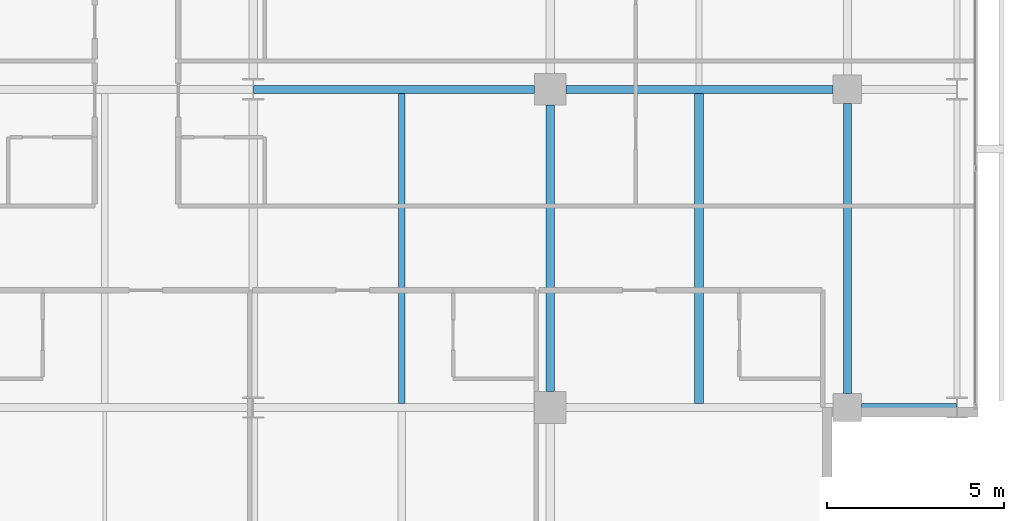
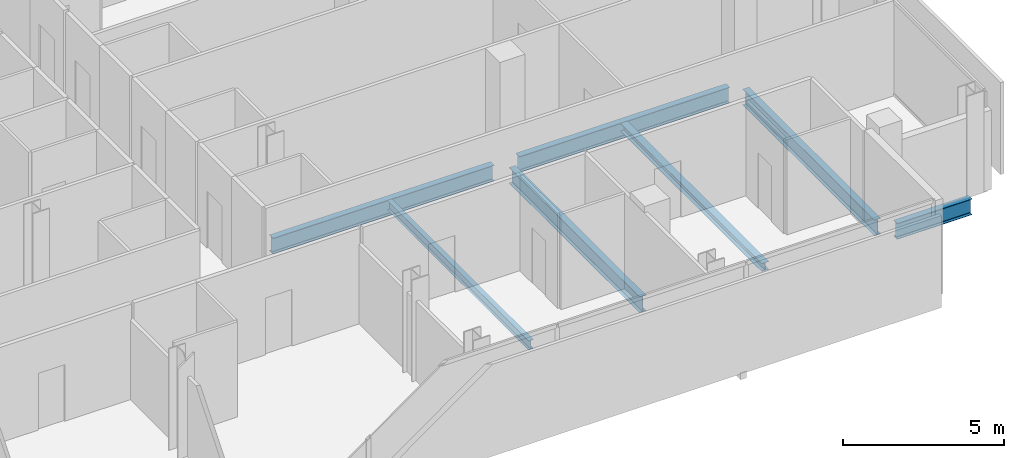
# One storey, part 14 of 34: 7 beams.
"""IFC4 building model written with IfcOpenShell, lengths in metres."""

from ifc_helpers import new_model, si_unit, direction, frame, origin, origin_2d, place, context, subcontext, project, spatial, i_section, extrude, material, material_profile, profile_set, type_object, element, save


model = new_model("IFC4")

# Units and contexts
model_context = context("Model", 3, precision=1e-05, world=origin(), true_north=direction((0.0, 1.0)))
body_context = subcontext(model_context, "Body", "Model", "MODEL_VIEW")
ifc_project = project(units=[si_unit("LENGTHUNIT", "METRE"), si_unit("AREAUNIT", "SQUARE_METRE"), si_unit("VOLUMEUNIT", "CUBIC_METRE"), si_unit("PLANEANGLEUNIT", "RADIAN"), si_unit("MASSUNIT", "GRAM", prefix="KILO")], contexts=[model_context])

# Site, building, storey
site_placement = place(None, origin())
site = spatial("IfcSite", under=ifc_project, at=site_placement, CompositionType="ELEMENT")
building_placement = place(site_placement, origin())
building = spatial("IfcBuilding", under=site, at=building_placement, Name="Maruvema Waterfront Hotel and Observation Tower", CompositionType="ELEMENT")
storey_placement = place(building_placement, frame((0.0, 0.0, 173.60009765625)))
storey = spatial("IfcBuildingStorey", under=building, at=storey_placement, Name="L42", CompositionType="ELEMENT", Elevation=173.60009765625)

# Beams
ifc_material_1 = material(Name="Steel ASTM A572 Grade 50", Category="steel")
ifc_material_profile_1 = material_profile(ifc_material_1, i_section(OverallWidth=0.22802734375, OverallDepth=0.60302734375, WebThickness=0.010498046875, FlangeThickness=0.014892578125, FilletRadius=0.01806640625, at=origin_2d()), Name="W610x101.0")
ifc_profile_set_1 = profile_set([ifc_material_profile_1], Name="Steel ASTM A572 Grade 50")
beam_type_1 = type_object("IfcBeamType", Name="Primary Floor Girder W610x101.0", PredefinedType="BEAM", material=ifc_profile_set_1)
beam_1_placement = place(storey_placement, frame((59.199951171875, 9.0, -0.54150390625), z_axis=(1.0, 0.0, 0.0), x_axis=(0.0, 1.0, 0.0)))
element("IfcBeam", 1, at=beam_1_placement, inside=storey, type_object=beam_type_1, Name="L42 Floor Girder EW-10", PredefinedType="BEAM", context=body_context, shape_type="SweptSolid", body=[
    extrude(i_section(OverallWidth=0.22802734375, OverallDepth=0.60302734375, WebThickness=0.010498046875, FlangeThickness=0.014892578125, FilletRadius=0.01806640625, at=origin_2d()), origin(), (0.0, 0.0, 1.0), 2.6875),
])
beam_2_placement = place(storey_placement, frame((42.012451171875, 18.0, -0.54150390625), z_axis=(1.0, 0.0, 0.0), x_axis=(0.0, 1.0, 0.0)))
element("IfcBeam", 2, at=beam_2_placement, inside=storey, type_object=beam_type_1, Name="L42 Floor Girder EW-15", PredefinedType="BEAM", context=body_context, shape_type="SweptSolid", body=[
    extrude(i_section(OverallWidth=0.22802734375, OverallDepth=0.60302734375, WebThickness=0.010498046875, FlangeThickness=0.014892578125, FilletRadius=0.01806640625, at=origin_2d()), origin(), (0.0, 0.0, 1.0), 7.9375),
])
beam_3_placement = place(storey_placement, frame((50.85009765625, 18.0, -0.54150390625), z_axis=(1.0, 0.0, 0.0), x_axis=(0.0, 1.0, 0.0)))
element("IfcBeam", 3, at=beam_3_placement, inside=storey, type_object=beam_type_1, Name="L42 Floor Girder EW-16", PredefinedType="BEAM", context=body_context, shape_type="SweptSolid", body=[
    extrude(i_section(OverallWidth=0.22802734375, OverallDepth=0.60302734375, WebThickness=0.010498046875, FlangeThickness=0.014892578125, FilletRadius=0.01806640625, at=origin_2d()), origin(), (0.0, 0.0, 1.0), 7.5498046875),
])
beam_4_placement = place(storey_placement, frame((50.39990234375, 9.449951171875, -0.54150390625), z_axis=(0.0, 1.0, 0.0), x_axis=(-1.0, 0.0, 0.0)))
element("IfcBeam", 4, at=beam_4_placement, inside=storey, type_object=beam_type_1, Name="L42 Floor Girder NS-21", PredefinedType="BEAM", context=body_context, shape_type="SweptSolid", body=[
    extrude(i_section(OverallWidth=0.22802734375, OverallDepth=0.60302734375, WebThickness=0.010498046875, FlangeThickness=0.014892578125, FilletRadius=0.01806640625, at=origin_2d()), origin(), (0.0, 0.0, 1.0), 8.10009765625),
])
beam_5_placement = place(storey_placement, frame((58.800048828125, 9.39990234375, -0.54150390625), z_axis=(0.0, 1.0, 0.0), x_axis=(-1.0, 0.0, 0.0)))
element("IfcBeam", 5, at=beam_5_placement, inside=storey, type_object=beam_type_1, Name="L42 Floor Girder NS-25", PredefinedType="BEAM", context=body_context, shape_type="SweptSolid", body=[
    extrude(i_section(OverallWidth=0.22802734375, OverallDepth=0.60302734375, WebThickness=0.010498046875, FlangeThickness=0.014892578125, FilletRadius=0.01806640625, at=origin_2d()), origin(), (0.0, 0.0, 1.0), 8.2001953125),
])
ifc_material_2 = material(Name="Steel ASTM A572 Grade 50", Category="steel")
ifc_material_profile_2 = material_profile(ifc_material_2, i_section(OverallWidth=0.25390625, OverallDepth=0.305908203125, WebThickness=0.0087890625, FlangeThickness=0.0146484375, FilletRadius=0.014892578125, at=origin_2d()), Name="W310x79.0")
ifc_profile_set_2 = profile_set([ifc_material_profile_2], Name="Steel ASTM A572 Grade 50")
beam_type_2 = type_object("IfcBeamType", Name="Secondary Floor Joist W310x79.0", PredefinedType="JOIST", material=ifc_profile_set_2)
beam_6_placement = place(storey_placement, frame((54.60009765625, 9.114013671875, -0.39306640625), z_axis=(0.0, 1.0, 0.0), x_axis=(-1.0, 0.0, 0.0)))
element("IfcBeam", 6, at=beam_6_placement, inside=storey, type_object=beam_type_2, Name="L42 Secondary Floor Joist JS-11", PredefinedType="JOIST", context=body_context, shape_type="SweptSolid", body=[
    extrude(i_section(OverallWidth=0.25390625, OverallDepth=0.305908203125, WebThickness=0.0087890625, FlangeThickness=0.0146484375, FilletRadius=0.014892578125, at=origin_2d()), origin(), (0.0, 0.0, 1.0), 8.77197265625),
])
ifc_material_3 = material(Name="Steel ASTM A572 Grade 50", Category="steel")
ifc_material_profile_3 = material_profile(ifc_material_3, i_section(OverallWidth=0.1708984375, OverallDepth=0.35498046875, WebThickness=0.007080078125, FlangeThickness=0.01171875, FilletRadius=0.014892578125, at=origin_2d()), Name="W360x51.0")
ifc_profile_set_3 = profile_set([ifc_material_profile_3], Name="Steel ASTM A572 Grade 50")
beam_type_3 = type_object("IfcBeamType", Name="Secondary Floor Joist W360x51.0", PredefinedType="JOIST", material=ifc_profile_set_3)
beam_7_placement = place(storey_placement, frame((46.199951171875, 9.114013671875, -0.41748046875), z_axis=(0.0, 1.0, 0.0), x_axis=(-1.0, 0.0, 0.0)))
element("IfcBeam", 7, at=beam_7_placement, inside=storey, type_object=beam_type_3, Name="L42 Secondary Floor Joist JS-10", PredefinedType="JOIST", context=body_context, shape_type="SweptSolid", body=[
    extrude(i_section(OverallWidth=0.1708984375, OverallDepth=0.35498046875, WebThickness=0.007080078125, FlangeThickness=0.01171875, FilletRadius=0.014892578125, at=origin_2d()), origin(), (0.0, 0.0, 1.0), 8.77197265625),
])

save(model, "model.ifc")
